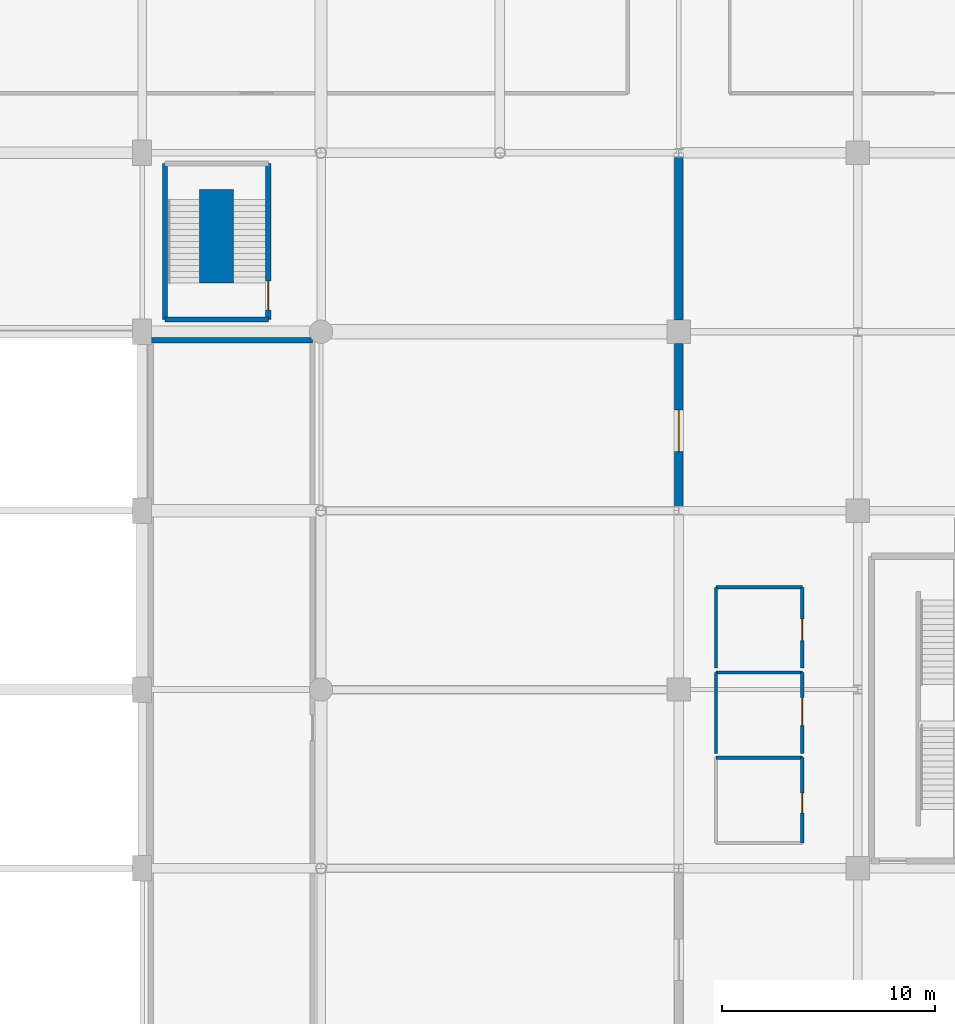
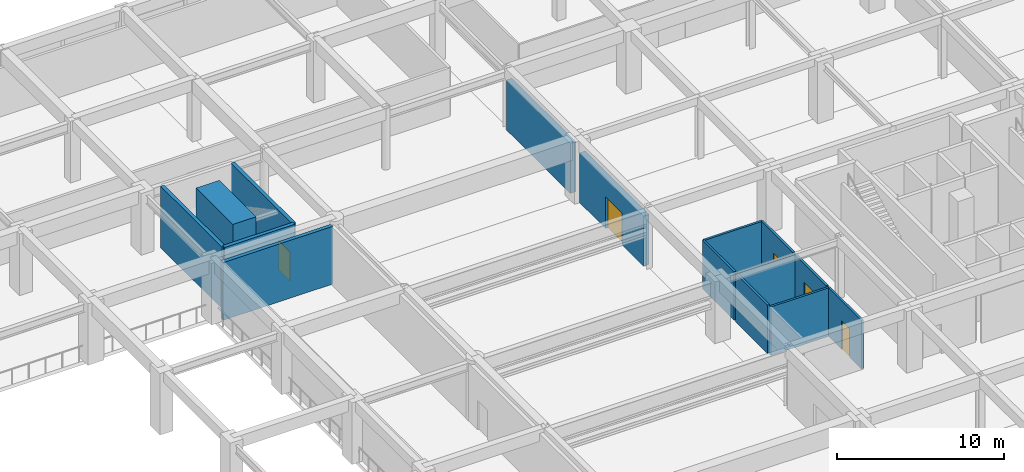
# One storey, part 44 of 56: 15 walls, 5 doors, 5 openings.
"""IFC4 building model written with IfcOpenShell, lengths in metres."""

from ifc_helpers import new_model, si_unit, direction, frame, frame_2d, origin, place, context, subcontext, project, spatial, rectangle, extrude, material, layer, layer_set, type_object, element, fill, save


model = new_model("IFC4")

# Units and contexts
model_context = context("Model", 3, precision=1e-05, world=origin(), true_north=direction((0.0, 1.0)))
body_context = subcontext(model_context, "Body", "Model", "MODEL_VIEW")
ifc_project = project(units=[si_unit("LENGTHUNIT", "METRE"), si_unit("AREAUNIT", "SQUARE_METRE"), si_unit("VOLUMEUNIT", "CUBIC_METRE"), si_unit("PLANEANGLEUNIT", "RADIAN"), si_unit("MASSUNIT", "GRAM", prefix="KILO")], contexts=[model_context])

# Site, building, storey
site_placement = place(None, origin())
site = spatial("IfcSite", under=ifc_project, at=site_placement, CompositionType="ELEMENT")
building_placement = place(site_placement, origin())
building = spatial("IfcBuilding", under=site, at=building_placement, Name="Xuanlan Plaza Opera House", CompositionType="ELEMENT")
storey_placement = place(building_placement, frame((0.0, 0.0, 18.89990234375)))
storey = spatial("IfcBuildingStorey", under=building, at=storey_placement, Name="L04", CompositionType="ELEMENT", Elevation=18.89990234375)

# Wall
ifc_material_1 = material(Name="Autoclaved Aerated Blockwork Masonry", Category="masonry")
ifc_layer_1 = layer(ifc_material_1, 0.14990234375)
ifc_layer_set_1 = layer_set([ifc_layer_1], Name="Autoclaved Aerated Blockwork Masonry")
wall_type_1 = type_object("IfcWallType", Name="INT-WL-PW-03", PredefinedType="PARTITIONING", material=ifc_layer_set_1)
wall_1_placement = place(storey_placement, frame((127.75, 55.60009765625, 0.0), z_axis=(0.0, 0.0, 1.0), x_axis=(1.0, 0.0, 0.0)))
element("IfcWall", 1, at=wall_1_placement, inside=storey, type_object=wall_type_1, Name="Public WC Wall North", PredefinedType="PARTITIONING", context=body_context, shape_type="SweptSolid", body=[
    extrude(rectangle(XDim=4.050048828125, YDim=0.14990234375, at=frame_2d((2.02490234375, 0.0))), origin(), (0.0, 0.0, 1.0), 3.5400390625),
])

# Wall, opening, door
wall_2_placement = place(storey_placement, frame((131.800048828125, 51.60009765625, 0.0), z_axis=(0.0, 0.0, 1.0), x_axis=(0.0, 1.0, 0.0)))
wall_2 = element("IfcWall", 2, at=wall_2_placement, inside=storey, type_object=wall_type_1, Name="Public WC Wall East", PredefinedType="PARTITIONING", context=body_context, shape_type="SweptSolid", body=[
    extrude(rectangle(XDim=4.0, YDim=0.14990234375, at=frame_2d((2.0, 0.0))), origin(), (0.0, 0.0, 1.0), 3.5400390625),
])
opening_1_placement = place(wall_2_placement, frame((1.39990234375, 0.0, 0.0)))
opening_1 = element("IfcOpeningElement", 3, at=opening_1_placement, cuts=wall_2, Name="Opening D-01", PredefinedType="OPENING", context=body_context, shape_type="SweptSolid", body=[
    extrude(rectangle(XDim=0.949951171875, YDim=2.10009765625, at=frame_2d((0.47509765625, 1.050048828125))), frame((0.0, 0.0849609375, 0.0), z_axis=(0.0, -1.0, 0.0), x_axis=(1.0, 0.0, 0.0)), (0.0, 0.0, 1.0), 0.169921875),
])
ifc_material_2 = material(Name="Walnut Hardwood Timber", Category="wood")
door_type_1 = type_object("IfcDoorType", Name="INT-DR-D-01", OperationType="NOTDEFINED", PredefinedType="DOOR", material=ifc_material_2)
door_1_placement = place(opening_1_placement, origin())
door_1 = element("IfcDoor", 4, at=door_1_placement, inside=storey, type_object=door_type_1, Name="Public WC Door 1", OperationType="SINGLE_SWING_RIGHT", OverallHeight=2.10009765625, OverallWidth=0.949951171875, PredefinedType="DOOR", context=body_context, shape_type="SweptSolid", body=[
    extrude(rectangle(XDim=0.949951171875, YDim=2.10009765625, at=frame_2d((0.47509765625, 1.050048828125))), frame((0.0, 0.02490234375, 0.0), z_axis=(0.0, -1.0, 0.0), x_axis=(1.0, 0.0, 0.0)), (0.0, 0.0, 1.0), 0.050048828125),
])
fill(opening_1, door_1)

# Walls
wall_3_placement = place(storey_placement, frame((127.75, 59.60009765625, 0.0), z_axis=(0.0, 0.0, 1.0), x_axis=(1.0, 0.0, 0.0)))
element("IfcWall", 5, at=wall_3_placement, inside=storey, type_object=wall_type_1, Name="Staff WC Wall North", PredefinedType="PARTITIONING", context=body_context, shape_type="SweptSolid", body=[
    extrude(rectangle(XDim=4.050048828125, YDim=0.14990234375, at=frame_2d((2.02490234375, 0.0))), origin(), (0.0, 0.0, 1.0), 3.5400390625),
])
wall_4_placement = place(storey_placement, frame((127.75, 55.800048828125, 0.0), z_axis=(0.0, 0.0, 1.0), x_axis=(0.0, 1.0, 0.0)))
element("IfcWall", 6, at=wall_4_placement, inside=storey, type_object=wall_type_1, Name="Staff WC Wall West", PredefinedType="PARTITIONING", context=body_context, shape_type="SweptSolid", body=[
    extrude(rectangle(XDim=3.800048828125, YDim=0.14990234375, at=frame_2d((1.89990234375, 0.0))), origin(), (0.0, 0.0, 1.0), 3.5400390625),
])

# Wall, opening, door
wall_5_placement = place(storey_placement, frame((131.800048828125, 55.800048828125, 0.0), z_axis=(0.0, 0.0, 1.0), x_axis=(0.0, 1.0, 0.0)))
wall_5 = element("IfcWall", 7, at=wall_5_placement, inside=storey, type_object=wall_type_1, Name="Staff WC Wall East", PredefinedType="PARTITIONING", context=body_context, shape_type="SweptSolid", body=[
    extrude(rectangle(XDim=3.800048828125, YDim=0.14990234375, at=frame_2d((1.89990234375, 0.0))), origin(), (0.0, 0.0, 1.0), 3.5400390625),
])
opening_2_placement = place(wall_5_placement, frame((1.300048828125, 0.0, 0.0)))
opening_2 = element("IfcOpeningElement", 8, at=opening_2_placement, cuts=wall_5, Name="Opening D-07", PredefinedType="OPENING", context=body_context, shape_type="SweptSolid", body=[
    extrude(rectangle(XDim=1.320068359375, YDim=2.179931640625, at=frame_2d((0.66015625, 1.08984375))), frame((0.0, 0.0849609375, 0.0), z_axis=(0.0, -1.0, 0.0), x_axis=(1.0, 0.0, 0.0)), (0.0, 0.0, 1.0), 0.169921875),
])
door_type_2 = type_object("IfcDoorType", Name="INT-DR-D-07", OperationType="NOTDEFINED", PredefinedType="DOOR", material=ifc_material_2)
door_2_placement = place(opening_2_placement, origin())
door_2 = element("IfcDoor", 9, at=door_2_placement, inside=storey, type_object=door_type_2, Name="Staff WC Door 1", OperationType="SINGLE_SWING_LEFT", OverallHeight=2.179931640625, OverallWidth=1.320068359375, PredefinedType="DOOR", context=body_context, shape_type="SweptSolid", body=[
    extrude(rectangle(XDim=1.320068359375, YDim=2.179931640625, at=frame_2d((0.66015625, 1.08984375))), frame((0.0, 0.02490234375, 0.0), z_axis=(0.0, -1.0, 0.0), x_axis=(1.0, 0.0, 0.0)), (0.0, 0.0, 1.0), 0.050048828125),
])
fill(opening_2, door_2)

# Walls
wall_6_placement = place(storey_placement, frame((127.75, 63.60009765625, 0.0), z_axis=(0.0, 0.0, 1.0), x_axis=(1.0, 0.0, 0.0)))
element("IfcWall", 10, at=wall_6_placement, inside=storey, type_object=wall_type_1, Name="Accessible WC Wall North", PredefinedType="PARTITIONING", context=body_context, shape_type="SweptSolid", body=[
    extrude(rectangle(XDim=4.050048828125, YDim=0.14990234375, at=frame_2d((2.02490234375, 0.0))), origin(), (0.0, 0.0, 1.0), 3.5400390625),
])
wall_7_placement = place(storey_placement, frame((127.75, 59.800048828125, 0.0), z_axis=(0.0, 0.0, 1.0), x_axis=(0.0, 1.0, 0.0)))
element("IfcWall", 11, at=wall_7_placement, inside=storey, type_object=wall_type_1, Name="Accessible WC Wall West", PredefinedType="PARTITIONING", context=body_context, shape_type="SweptSolid", body=[
    extrude(rectangle(XDim=3.800048828125, YDim=0.14990234375, at=frame_2d((1.89990234375, 0.0))), origin(), (0.0, 0.0, 1.0), 3.5400390625),
])

# Wall, opening, door
wall_8_placement = place(storey_placement, frame((131.800048828125, 59.800048828125, 0.0), z_axis=(0.0, 0.0, 1.0), x_axis=(0.0, 1.0, 0.0)))
wall_8 = element("IfcWall", 12, at=wall_8_placement, inside=storey, type_object=wall_type_1, Name="Accessible WC Wall East", PredefinedType="PARTITIONING", context=body_context, shape_type="SweptSolid", body=[
    extrude(rectangle(XDim=3.800048828125, YDim=0.14990234375, at=frame_2d((1.89990234375, 0.0))), origin(), (0.0, 0.0, 1.0), 3.5400390625),
])
opening_3_placement = place(wall_8_placement, frame((1.300048828125, 0.0, 0.0)))
opening_3 = element("IfcOpeningElement", 13, at=opening_3_placement, cuts=wall_8, Name="Opening D-02", PredefinedType="OPENING", context=body_context, shape_type="SweptSolid", body=[
    extrude(rectangle(XDim=1.02001953125, YDim=2.10009765625, at=frame_2d((0.510009765625, 1.050048828125))), frame((0.0, 0.0849609375, 0.0), z_axis=(0.0, -1.0, 0.0), x_axis=(1.0, 0.0, 0.0)), (0.0, 0.0, 1.0), 0.169921875),
])
ifc_material_3 = material(Name="Oak Hardwood Timber", Category="wood")
door_type_3 = type_object("IfcDoorType", Name="INT-DR-D-02", OperationType="NOTDEFINED", PredefinedType="DOOR", material=ifc_material_3)
door_3_placement = place(opening_3_placement, origin())
door_3 = element("IfcDoor", 14, at=door_3_placement, inside=storey, type_object=door_type_3, Name="Accessible WC Door 1", OperationType="SINGLE_SWING_RIGHT", OverallHeight=2.10009765625, OverallWidth=1.02001953125, PredefinedType="DOOR", context=body_context, shape_type="SweptSolid", body=[
    extrude(rectangle(XDim=1.02001953125, YDim=2.10009765625, at=frame_2d((0.510009765625, 1.050048828125))), frame((0.0, 0.02490234375, 0.0), z_axis=(0.0, -1.0, 0.0), x_axis=(1.0, 0.0, 0.0)), (0.0, 0.0, 1.0), 0.050048828125),
])
fill(opening_3, door_3)

ifc_material_4 = material(Name="Concrete C50", Category="concrete")
ifc_layer_2 = layer(ifc_material_4, 0.3798828125)
ifc_layer_set_2 = layer_set([ifc_layer_2], Name="Concrete C50")
wall_type_2 = type_object("IfcWallType", Name="INT-WL-SW-FW1", PredefinedType="SHEAR", material=ifc_layer_set_2)
wall_9_placement = place(storey_placement, frame((126.0, 67.39990234375, 0.0), z_axis=(0.0, 0.0, 1.0), x_axis=(0.0, 1.0, 0.0)))
wall_9 = element("IfcWall", 15, at=wall_9_placement, inside=storey, type_object=wall_type_2, Name="Opera-Tower Compartment Firewall L04-03", PredefinedType="SHEAR", context=body_context, shape_type="SweptSolid", body=[
    extrude(rectangle(XDim=7.650146484375, YDim=0.3798828125, at=frame_2d((3.8251953125, 0.0))), origin(), (0.0, 0.0, 1.0), 3.650146484375),
])
opening_4_placement = place(wall_9_placement, frame((2.574951171875, 0.0, 0.0)))
opening_4 = element("IfcOpeningElement", 16, at=opening_4_placement, cuts=wall_9, Name="Opening FD-04", PredefinedType="OPENING", context=body_context, shape_type="SweptSolid", body=[
    extrude(rectangle(XDim=1.949951171875, YDim=2.300048828125, at=frame_2d((0.97509765625, 1.14990234375))), frame((0.0, 0.199951171875, 0.0), z_axis=(0.0, -1.0, 0.0), x_axis=(1.0, 0.0, 0.0)), (0.0, 0.0, 1.0), 0.39990234375),
])
ifc_material_5 = material(Name="Galvanised Steel Q235B", Category="steel")
door_type_4 = type_object("IfcDoorType", Name="INT-DR-FD-04", OperationType="DOUBLE_DOOR_SINGLE_SWING", PredefinedType="DOOR", material=ifc_material_5)
door_4_placement = place(opening_4_placement, origin())
door_4 = element("IfcDoor", 17, at=door_4_placement, inside=storey, type_object=door_type_4, Name="Compartment Firewall Door L04-03", OperationType="DOUBLE_DOOR_SINGLE_SWING", OverallHeight=2.300048828125, OverallWidth=1.949951171875, PredefinedType="DOOR", context=body_context, shape_type="SweptSolid", body=[
    extrude(rectangle(XDim=1.949951171875, YDim=2.300048828125, at=frame_2d((0.97509765625, 1.14990234375))), frame((0.0, 0.02490234375, 0.0), z_axis=(0.0, -1.0, 0.0), x_axis=(1.0, 0.0, 0.0)), (0.0, 0.0, 1.0), 0.050048828125),
])
fill(opening_4, door_4)

# Walls
wall_10_placement = place(storey_placement, frame((126.0, 76.14990234375, 0.0), z_axis=(0.0, 0.0, 1.0), x_axis=(0.0, 1.0, 0.0)))
element("IfcWall", 18, at=wall_10_placement, inside=storey, type_object=wall_type_2, Name="Opera-Tower Compartment Firewall L04-04", PredefinedType="SHEAR", context=body_context, shape_type="SweptSolid", body=[
    extrude(rectangle(XDim=7.650146484375, YDim=0.3798828125, at=frame_2d((3.8251953125, 0.0))), origin(), (0.0, 0.0, 1.0), 3.650146484375),
])
ifc_material_6 = material(Name="Concrete C40", Category="concrete")
ifc_layer_3 = layer(ifc_material_6, 0.25)
ifc_layer_set_3 = layer_set([ifc_layer_3], Name="Concrete C40")
wall_type_3 = type_object("IfcWallType", Name="INT-WL-SW-LF1", PredefinedType="SHEAR", material=ifc_layer_set_3)
wall_11_placement = place(storey_placement, frame((101.199951171875, 75.199951171875, 0.0), z_axis=(0.0, 0.0, 1.0), x_axis=(1.0, 0.0, 0.0)))
element("IfcWall", 19, at=wall_11_placement, inside=storey, type_object=wall_type_3, Name="Acoustic Cloud Technical Room Wall North", PredefinedType="SHEAR", context=body_context, shape_type="SweptSolid", body=[
    extrude(rectangle(XDim=7.60009765625, YDim=0.25, at=frame_2d((3.800048828125, 0.0))), origin(), (0.0, 0.0, 1.0), 4.22021484375),
])
ifc_layer_4 = layer(ifc_material_4, 1.60009765625)
ifc_layer_set_4 = layer_set([ifc_layer_4], Name="Concrete C50")
wall_type_4 = type_object("IfcWallType", Name="INT-WL-SW-SP2", PredefinedType="SHEAR", material=ifc_layer_set_4)
wall_12_placement = place(storey_placement, frame((104.300048828125, 77.8798828125, 0.0), z_axis=(0.0, 0.0, 1.0), x_axis=(0.0, 1.0, 0.0)))
element("IfcWall", 20, at=wall_12_placement, inside=storey, type_object=wall_type_4, Name="Half-Turn Stair Structural Spine Wall ST-F2 L04", PredefinedType="SHEAR", context=body_context, shape_type="SweptSolid", body=[
    extrude(rectangle(XDim=4.400146484375, YDim=1.60009765625, at=frame_2d((2.2001953125, 0.0))), origin(), (0.0, 0.0, 1.0), 4.5),
])
ifc_layer_5 = layer(ifc_material_6, 0.25)
ifc_layer_set_5 = layer_set([ifc_layer_5], Name="Concrete C40")
wall_type_5 = type_object("IfcWallType", Name="INT-WL-SW-ST2", PredefinedType="SHEAR", material=ifc_layer_set_5)
wall_13_placement = place(storey_placement, frame((101.875, 76.175048828125, 0.0), z_axis=(0.0, 0.0, 1.0), x_axis=(1.0, 0.0, 0.0)))
element("IfcWall", 21, at=wall_13_placement, inside=storey, type_object=wall_type_5, Name="Stair Core Wall ST-F2 L04 South", PredefinedType="SHEAR", context=body_context, shape_type="SweptSolid", body=[
    extrude(rectangle(XDim=4.85009765625, YDim=0.25, at=frame_2d((2.425048828125, 0.0))), origin(), (0.0, 0.0, 1.0), 4.5),
])
wall_14_placement = place(storey_placement, frame((101.875, 76.175048828125, 0.0), z_axis=(0.0, 0.0, 1.0), x_axis=(0.0, 1.0, 0.0)))
element("IfcWall", 22, at=wall_14_placement, inside=storey, type_object=wall_type_5, Name="Stair Core Wall ST-F2 L04 West", PredefinedType="SHEAR", context=body_context, shape_type="SweptSolid", body=[
    extrude(rectangle(XDim=7.329833984375, YDim=0.25, at=frame_2d((3.6650390625, 0.0))), origin(), (0.0, 0.0, 1.0), 4.5),
])

# Wall, opening, door
wall_15_placement = place(storey_placement, frame((106.72509765625, 76.175048828125, 0.0), z_axis=(0.0, 0.0, 1.0), x_axis=(0.0, 1.0, 0.0)))
wall_15 = element("IfcWall", 23, at=wall_15_placement, inside=storey, type_object=wall_type_5, Name="Stair Core Wall ST-F2 L04 East", PredefinedType="SHEAR", context=body_context, shape_type="SweptSolid", body=[
    extrude(rectangle(XDim=7.329833984375, YDim=0.25, at=frame_2d((3.6650390625, 0.0))), origin(), (0.0, 0.0, 1.0), 4.5),
])
opening_5_placement = place(wall_15_placement, frame((0.449951171875, 0.0, 0.0)))
opening_5 = element("IfcOpeningElement", 24, at=opening_5_placement, cuts=wall_15, Name="Opening FD-ST2", PredefinedType="OPENING", context=body_context, shape_type="SweptSolid", body=[
    extrude(rectangle(XDim=1.35009765625, YDim=2.14990234375, at=frame_2d((0.675048828125, 1.074951171875))), frame((0.0, 0.135009765625, 0.0), z_axis=(0.0, -1.0, 0.0), x_axis=(1.0, 0.0, 0.0)), (0.0, 0.0, 1.0), 0.27001953125),
])
door_type_5 = type_object("IfcDoorType", Name="INT-DR-FD-ST2", OperationType="NOTDEFINED", PredefinedType="DOOR", material=ifc_material_5)
door_5_placement = place(opening_5_placement, origin())
door_5 = element("IfcDoor", 25, at=door_5_placement, inside=storey, type_object=door_type_5, Name="Stair Enclosure Fire Door ST-F2 L04", OperationType="SINGLE_SWING_RIGHT", OverallHeight=2.14990234375, OverallWidth=1.35009765625, PredefinedType="DOOR", context=body_context, shape_type="SweptSolid", body=[
    extrude(rectangle(XDim=1.35009765625, YDim=2.14990234375, at=frame_2d((0.675048828125, 1.074951171875))), frame((0.0, 0.02490234375, 0.0), z_axis=(0.0, -1.0, 0.0), x_axis=(1.0, 0.0, 0.0)), (0.0, 0.0, 1.0), 0.050048828125),
])
fill(opening_5, door_5)

save(model, "model.ifc")
